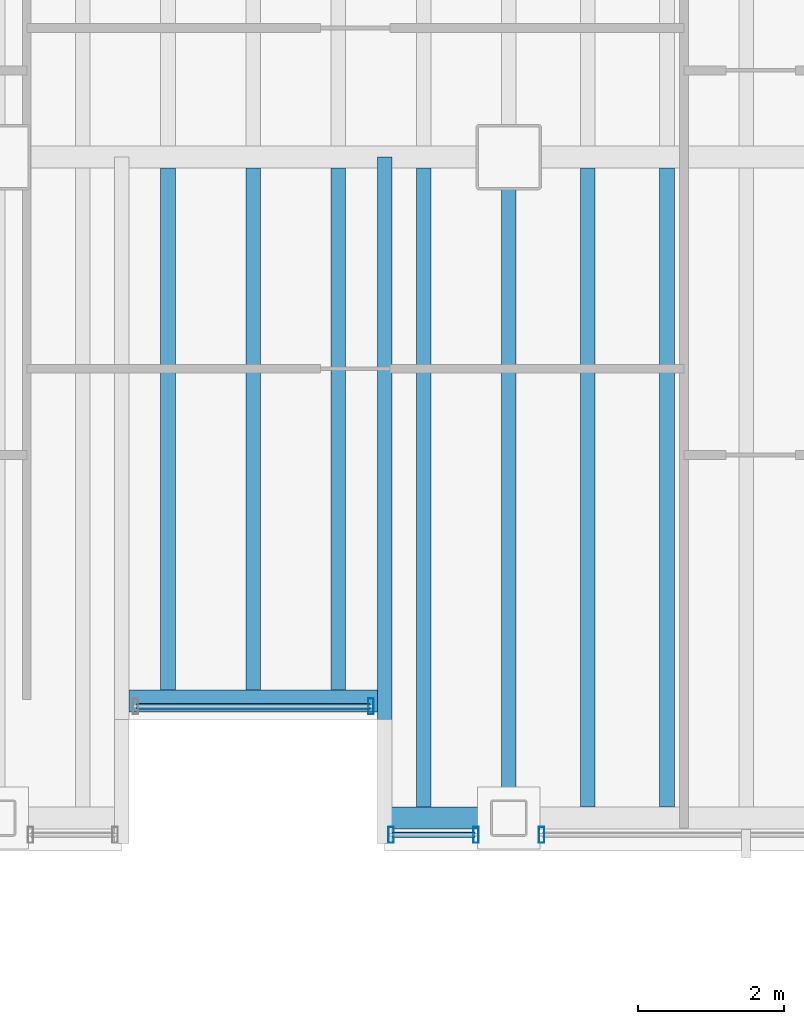
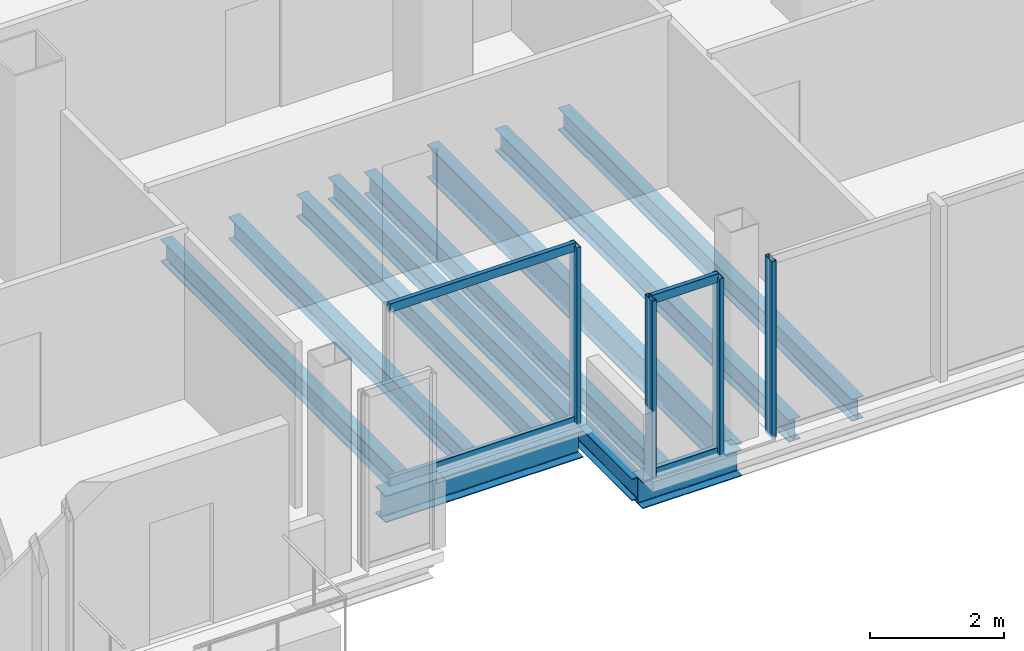
# One storey, part 6 of 22: 10 beams, 8 members, 3 elements without a shape of their own.
"""IFC4 building model written with IfcOpenShell, lengths in metres."""

from ifc_helpers import new_model, si_unit, direction, frame, origin, origin_2d, place, context, subcontext, project, spatial, hollow_rectangle, i_section, extrude, material, material_profile, profile_set, type_object, element, aggregate, save


model = new_model("IFC4")

# Units and contexts
model_context = context("Model", 3, precision=1e-05, world=origin(), true_north=direction((0.0, 1.0)))
body_context = subcontext(model_context, "Body", "Model", "MODEL_VIEW")
ifc_project = project(units=[si_unit("LENGTHUNIT", "METRE"), si_unit("AREAUNIT", "SQUARE_METRE"), si_unit("VOLUMEUNIT", "CUBIC_METRE"), si_unit("PLANEANGLEUNIT", "RADIAN"), si_unit("MASSUNIT", "GRAM", prefix="KILO")], contexts=[model_context])

# Site, building, storey
site_placement = place(None, origin())
site = spatial("IfcSite", under=ifc_project, at=site_placement, CompositionType="ELEMENT")
building_placement = place(site_placement, origin())
building = spatial("IfcBuilding", under=site, at=building_placement, Name="Noeulbin Bourse Tower", CompositionType="ELEMENT")
storey_placement = place(building_placement, frame((0.0, 0.0, 134.39990234375)))
storey = spatial("IfcBuildingStorey", under=building, at=storey_placement, Name="L33", CompositionType="ELEMENT", Elevation=134.39990234375)

# Beams
ifc_material_1 = material(Name="Steel S355", Category="steel")
ifc_material_profile_1 = material_profile(ifc_material_1, i_section(OverallWidth=0.199951171875, OverallDepth=0.60009765625, WebThickness=0.010986328125, FlangeThickness=0.01708984375, FilletRadius=0.02197265625, at=origin_2d()), Name="H-600x200x11x17", Category="LoadBearing")
ifc_profile_set_1 = profile_set([ifc_material_profile_1], Name="Steel S355")
beam_type_1 = type_object("IfcBeamType", Name="BM-GRD-600", PredefinedType="USERDEFINED", material=ifc_profile_set_1)
beam_1_placement = place(storey_placement, frame((31.0, 10.949951171875, -0.47998046875), z_axis=(0.0, 1.0, 0.0), x_axis=(-1.0, 0.0, 0.0)))
element("IfcBeam", 1, at=beam_1_placement, inside=storey, type_object=beam_type_1, Name="Tower Primary Girder NS L33-3.1", ObjectType="GIRDER", PredefinedType="USERDEFINED", context=body_context, shape_type="SweptSolid", body=[
    extrude(i_section(OverallWidth=0.199951171875, OverallDepth=0.60009765625, WebThickness=0.010986328125, FlangeThickness=0.01708984375, FilletRadius=0.02197265625, at=origin_2d()), origin(), (0.0, 0.0, 1.0), 9.050048828125),
])
ifc_material_profile_2 = material_profile(ifc_material_1, i_section(OverallWidth=0.199951171875, OverallDepth=0.39990234375, WebThickness=0.008056640625, FlangeThickness=0.012939453125, FilletRadius=0.01611328125, at=origin_2d()), Name="H-400x200x8x13", Category="LoadBearing")
ifc_profile_set_2 = profile_set([ifc_material_profile_2], Name="Steel S355")
beam_type_2 = type_object("IfcBeamType", Name="BM-SEC-400", PredefinedType="BEAM", material=ifc_profile_set_2)
beam_2_placement = place(storey_placement, frame((29.300048828125, 10.949951171875, -0.3798828125), z_axis=(0.0, 1.0, 0.0), x_axis=(-1.0, 0.0, 0.0)))
element("IfcBeam", 2, at=beam_2_placement, inside=storey, type_object=beam_type_2, Name="BM-L33-SRT-E", PredefinedType="BEAM", context=body_context, shape_type="SweptSolid", body=[
    extrude(i_section(OverallWidth=0.199951171875, OverallDepth=0.39990234375, WebThickness=0.008056640625, FlangeThickness=0.012939453125, FilletRadius=0.01611328125, at=origin_2d()), origin(), (0.0, 0.0, 1.0), 9.050048828125),
])
for number, where, z_axis, x_axis, name in (
    (3, (26.333251953125, 12.699951171875, -0.3798828125), (0.0, 1.0, 0.0), (-1.0, 0.0, 0.0), "Tower Composite Joist L33-19"),
    (4, (27.5, 12.699951171875, -0.3798828125), (0.0, 1.0, 0.0), (-1.0, 0.0, 0.0), "Tower Composite Joist L33-21"),
    (5, (28.666748046875, 12.699951171875, -0.3798828125), (0.0, 1.0, 0.0), (-1.0, 0.0, 0.0), "Tower Composite Joist L33-23"),
):
    element("IfcBeam", number, at=place(storey_placement, frame(where, z_axis=z_axis, x_axis=x_axis)), inside=storey, type_object=beam_type_2, Name=name, PredefinedType="BEAM", context=body_context, shape_type="SweptSolid", body=[
        extrude(i_section(OverallWidth=0.199951171875, OverallDepth=0.39990234375, WebThickness=0.008056640625, FlangeThickness=0.012939453125, FilletRadius=0.01611328125, at=origin_2d()), origin(), (0.0, 0.0, 1.0), 7.150146484375),
    ])
for number, where, z_axis, x_axis, name in (
    (6, (29.833251953125, 11.10009765625, -0.3798828125), (0.0, 1.0, 0.0), (-1.0, 0.0, 0.0), "Tower Composite Joist L33-25"),
    (7, (32.083251953125, 11.10009765625, -0.3798828125), (0.0, 1.0, 0.0), (-1.0, 0.0, 0.0), "Tower Composite Joist L33-27"),
    (8, (33.166748046875, 11.10009765625, -0.3798828125), (0.0, 1.0, 0.0), (-1.0, 0.0, 0.0), "Tower Composite Joist L33-29"),
):
    element("IfcBeam", number, at=place(storey_placement, frame(where, z_axis=z_axis, x_axis=x_axis)), inside=storey, type_object=beam_type_2, Name=name, PredefinedType="BEAM", context=body_context, shape_type="SweptSolid", body=[
        extrude(i_section(OverallWidth=0.199951171875, OverallDepth=0.39990234375, WebThickness=0.008056640625, FlangeThickness=0.012939453125, FilletRadius=0.01611328125, at=origin_2d()), origin(), (0.0, 0.0, 1.0), 8.75),
    ])
ifc_material_profile_3 = material_profile(ifc_material_1, i_section(OverallWidth=0.300048828125, OverallDepth=0.488037109375, WebThickness=0.010986328125, FlangeThickness=0.01806640625, FilletRadius=0.02197265625, at=origin_2d()), Name="H-488x300x11x18", Category="LoadBearing")
ifc_profile_set_3 = profile_set([ifc_material_profile_3], Name="Steel S355")
beam_type_3 = type_object("IfcBeamType", Name="BM-SPN-488", PredefinedType="SPANDREL", material=ifc_profile_set_3)
beam_3_placement = place(storey_placement, frame((25.800048828125, 12.550048828125, -0.423828125), z_axis=(1.0, 0.0, 0.0), x_axis=(0.0, 1.0, 0.0)))
element("IfcBeam", 9, at=beam_3_placement, inside=storey, type_object=beam_type_3, Name="South Recess Spandrel L33-2B", PredefinedType="SPANDREL", context=body_context, shape_type="SweptSolid", body=[
    extrude(i_section(OverallWidth=0.300048828125, OverallDepth=0.488037109375, WebThickness=0.010986328125, FlangeThickness=0.01806640625, FilletRadius=0.02197265625, at=origin_2d()), origin(), (0.0, 0.0, 1.0), 3.39990234375),
])
beam_4_placement = place(storey_placement, frame((29.300048828125, 10.949951171875, -0.423828125), z_axis=(1.0, 0.0, 0.0), x_axis=(0.0, 1.0, 0.0)))
element("IfcBeam", 10, at=beam_4_placement, inside=storey, type_object=beam_type_3, Name="South Spandrel L33-2C", PredefinedType="SPANDREL", context=body_context, shape_type="SweptSolid", body=[
    extrude(i_section(OverallWidth=0.300048828125, OverallDepth=0.488037109375, WebThickness=0.010986328125, FlangeThickness=0.01806640625, FilletRadius=0.02197265625, at=origin_2d()), origin(), (0.0, 0.0, 1.0), 1.699951171875),
])

# Curtain wall, member
ifc_material_2 = material(Name="Dark Tinted Triple Glazing", Category="glass")
curtain_wall_type = type_object("IfcCurtainWallType", Name="CW-SYS-3", PredefinedType="NOTDEFINED", material=ifc_material_2)
curtain_wall_1_placement = place(storey_placement, origin())
curtain_wall_1 = element("IfcCurtainWall", 11, at=curtain_wall_1_placement, inside=storey, type_object=curtain_wall_type, Name="Unitised Curtain Wall CW-L33-SREC", PredefinedType="NOTDEFINED")
ifc_material_3 = material(Name="Anodised Aluminium 6063-T6", Category="aluminium")
ifc_material_profile_4 = material_profile(ifc_material_3, hollow_rectangle(XDim=0.074951171875, YDim=0.219970703125, WallThickness=0.0048828125, InnerFilletRadius=0.00244140625, OuterFilletRadius=0.0048828125, at=origin_2d()), Name="ALU-MULL-75x220x5", Category="LoadBearing")
ifc_profile_set_4 = profile_set([ifc_material_profile_4], Name="Anodised Aluminium 6063-T6")
member_type_1 = type_object("IfcMemberType", Name="CW-SYS-3-MUL", PredefinedType="MULLION", material=ifc_profile_set_4)
member_1_placement = place(storey_placement, frame((29.110107421875, 12.47998046875, -0.02001953125), z_axis=(0.0, 0.0, 1.0), x_axis=(1.0, 0.0, 0.0)))
member_1 = element("IfcMember", 12, at=member_1_placement, type_object=member_type_1, Name="Curtain Wall Mullion CW-L33-SREC-M01", PredefinedType="MULLION", context=body_context, shape_type="SweptSolid", body=[
    extrude(hollow_rectangle(XDim=0.074951171875, YDim=0.219970703125, WallThickness=0.0048828125, InnerFilletRadius=0.00244140625, OuterFilletRadius=0.0048828125, at=origin_2d()), origin(), (0.0, 0.0, 1.0), 3.22021484375),
])

# Curtain wall, members
curtain_wall_2_placement = place(storey_placement, origin())
curtain_wall_2 = element("IfcCurtainWall", 13, at=curtain_wall_2_placement, inside=storey, type_object=curtain_wall_type, Name="Unitised Curtain Wall CW-L33-S3-S1", PredefinedType="NOTDEFINED")
member_2_placement = place(storey_placement, frame((29.389892578125, 10.719970703125, -0.02001953125), z_axis=(0.0, 0.0, 1.0), x_axis=(1.0, 0.0, 0.0)))
member_2 = element("IfcMember", 14, at=member_2_placement, type_object=member_type_1, Name="Curtain Wall Mullion CW-L33-S3-S1-M00", PredefinedType="MULLION", context=body_context, shape_type="SweptSolid", body=[
    extrude(hollow_rectangle(XDim=0.074951171875, YDim=0.219970703125, WallThickness=0.0048828125, InnerFilletRadius=0.00244140625, OuterFilletRadius=0.0048828125, at=origin_2d()), origin(), (0.0, 0.0, 1.0), 3.22021484375),
])
member_3_placement = place(storey_placement, frame((30.550048828125, 10.719970703125, -0.02001953125), z_axis=(0.0, 0.0, 1.0), x_axis=(1.0, 0.0, 0.0)))
member_3 = element("IfcMember", 15, at=member_3_placement, type_object=member_type_1, Name="Curtain Wall Mullion CW-L33-S3-S1-M01", PredefinedType="MULLION", context=body_context, shape_type="SweptSolid", body=[
    extrude(hollow_rectangle(XDim=0.074951171875, YDim=0.219970703125, WallThickness=0.0048828125, InnerFilletRadius=0.00244140625, OuterFilletRadius=0.0048828125, at=origin_2d()), origin(), (0.0, 0.0, 1.0), 3.22021484375),
])

# Curtain wall, member
curtain_wall_3_placement = place(storey_placement, origin())
curtain_wall_3 = element("IfcCurtainWall", 16, at=curtain_wall_3_placement, inside=storey, type_object=curtain_wall_type, Name="Unitised Curtain Wall CW-L33-S3-S2", PredefinedType="NOTDEFINED")
member_4_placement = place(storey_placement, frame((31.449951171875, 10.719970703125, -0.02001953125), z_axis=(0.0, 0.0, 1.0), x_axis=(1.0, 0.0, 0.0)))
member_4 = element("IfcMember", 17, at=member_4_placement, type_object=member_type_1, Name="Curtain Wall Mullion CW-L33-S3-S2-M00", PredefinedType="MULLION", context=body_context, shape_type="SweptSolid", body=[
    extrude(hollow_rectangle(XDim=0.074951171875, YDim=0.219970703125, WallThickness=0.0048828125, InnerFilletRadius=0.00244140625, OuterFilletRadius=0.0048828125, at=origin_2d()), origin(), (0.0, 0.0, 1.0), 3.22021484375),
])
aggregate(curtain_wall_3, [member_4])

# Member
ifc_material_profile_5 = material_profile(ifc_material_3, hollow_rectangle(XDim=0.074951171875, YDim=0.159912109375, WallThickness=0.0048828125, InnerFilletRadius=0.00244140625, OuterFilletRadius=0.0048828125, at=origin_2d()), Name="ALU-TRAN-75x160x5", Category="LoadBearing")
ifc_profile_set_5 = profile_set([ifc_material_profile_5], Name="Anodised Aluminium 6063-T6")
member_type_2 = type_object("IfcMemberType", Name="CW-SYS-3-TRN", PredefinedType="USERDEFINED", material=ifc_profile_set_5)
member_5_placement = place(storey_placement, frame((25.89990234375, 12.47998046875, 0.010009765625), z_axis=(1.0, 0.0, 0.0), x_axis=(0.0, 1.0, 0.0)))
member_5 = element("IfcMember", 18, at=member_5_placement, type_object=member_type_2, Name="Curtain Wall Transom CW-L33-SREC-T00", ObjectType="TRANSOM", PredefinedType="USERDEFINED", context=body_context, shape_type="SweptSolid", body=[
    extrude(hollow_rectangle(XDim=0.074951171875, YDim=0.159912109375, WallThickness=0.0048828125, InnerFilletRadius=0.00244140625, OuterFilletRadius=0.0048828125, at=origin_2d()), origin(), (0.0, 0.0, 1.0), 3.2001953125),
])

member_6_placement = place(storey_placement, frame((25.89990234375, 12.47998046875, 3.170166015625), z_axis=(1.0, 0.0, 0.0), x_axis=(0.0, 1.0, 0.0)))
member_6 = element("IfcMember", 19, at=member_6_placement, type_object=member_type_2, Name="Curtain Wall Transom CW-L33-SREC-T01", ObjectType="TRANSOM", PredefinedType="USERDEFINED", context=body_context, shape_type="SweptSolid", body=[
    extrude(hollow_rectangle(XDim=0.074951171875, YDim=0.159912109375, WallThickness=0.0048828125, InnerFilletRadius=0.00244140625, OuterFilletRadius=0.0048828125, at=origin_2d()), origin(), (0.0, 0.0, 1.0), 3.2001953125),
])

aggregate(curtain_wall_1, [member_1, member_5, member_6])

member_7_placement = place(storey_placement, frame((29.39990234375, 10.719970703125, 0.010009765625), z_axis=(1.0, 0.0, 0.0), x_axis=(0.0, 1.0, 0.0)))
member_7 = element("IfcMember", 20, at=member_7_placement, type_object=member_type_2, Name="Curtain Wall Transom CW-L33-S3-S1-T00", ObjectType="TRANSOM", PredefinedType="USERDEFINED", context=body_context, shape_type="SweptSolid", body=[
    extrude(hollow_rectangle(XDim=0.074951171875, YDim=0.159912109375, WallThickness=0.0048828125, InnerFilletRadius=0.00244140625, OuterFilletRadius=0.0048828125, at=origin_2d()), origin(), (0.0, 0.0, 1.0), 1.14013671875),
])

member_8_placement = place(storey_placement, frame((29.39990234375, 10.719970703125, 3.170166015625), z_axis=(1.0, 0.0, 0.0), x_axis=(0.0, 1.0, 0.0)))
member_8 = element("IfcMember", 21, at=member_8_placement, type_object=member_type_2, Name="Curtain Wall Transom CW-L33-S3-S1-T01", ObjectType="TRANSOM", PredefinedType="USERDEFINED", context=body_context, shape_type="SweptSolid", body=[
    extrude(hollow_rectangle(XDim=0.074951171875, YDim=0.159912109375, WallThickness=0.0048828125, InnerFilletRadius=0.00244140625, OuterFilletRadius=0.0048828125, at=origin_2d()), origin(), (0.0, 0.0, 1.0), 1.14013671875),
])

aggregate(curtain_wall_2, [member_2, member_3, member_7, member_8])

save(model, "model.ifc")
